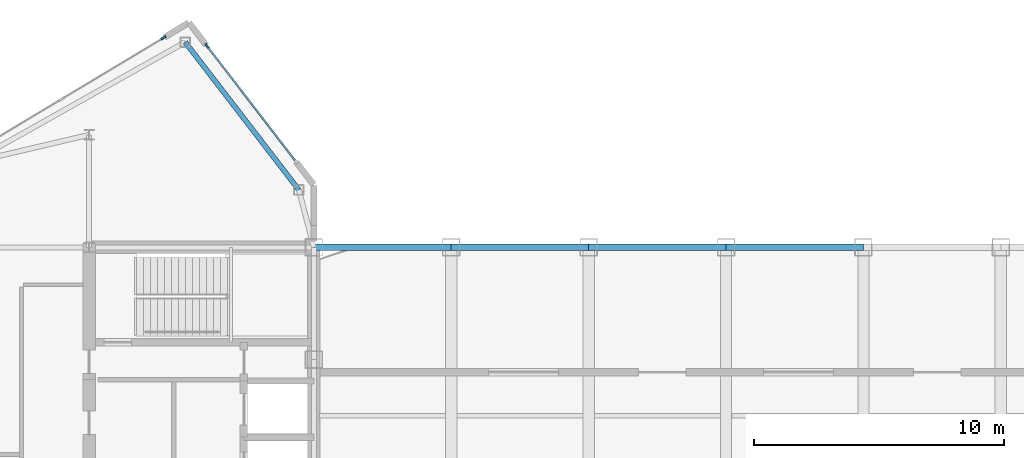
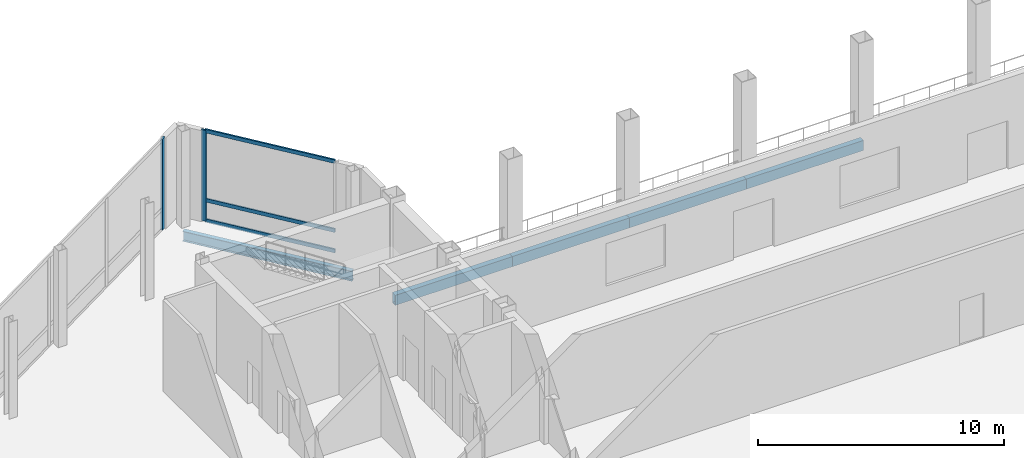
# One storey, part 12 of 28: 5 beams, 5 members, 2 elements without a shape of their own.
"""IFC4 building model written with IfcOpenShell, lengths in metres."""

from ifc_helpers import new_model, si_unit, direction, frame, origin, origin_2d, place, context, subcontext, project, spatial, rectangle, hollow_rectangle, i_section, extrude, source, transform, mapped, material, layer, layer_set, material_profile, profile_set, type_object, type_shapes, element, aggregate, save


model = new_model("IFC4")

# Units and contexts
model_context = context("Model", 3, precision=1e-05, world=origin(), true_north=direction((0.0, 1.0)))
body_context = subcontext(model_context, "Body", "Model", "MODEL_VIEW")
ifc_project = project(units=[si_unit("LENGTHUNIT", "METRE"), si_unit("AREAUNIT", "SQUARE_METRE"), si_unit("VOLUMEUNIT", "CUBIC_METRE"), si_unit("PLANEANGLEUNIT", "RADIAN"), si_unit("MASSUNIT", "GRAM", prefix="KILO")], contexts=[model_context])

# Site, building, storey
site_placement = place(None, origin())
site = spatial("IfcSite", under=ifc_project, at=site_placement, CompositionType="ELEMENT")
building_placement = place(site_placement, origin())
building = spatial("IfcBuilding", under=site, at=building_placement, Name="Seokmaru Belvedere", CompositionType="ELEMENT")
storey_placement = place(building_placement, frame((0.0, 0.0, 274.199951171875)))
storey = spatial("IfcBuildingStorey", under=building, at=storey_placement, Name="L72", CompositionType="ELEMENT", Elevation=274.199951171875)

# Beams
ifc_material_1 = material(Name="Steel SM355 (355 MPa)", Category="steel")
ifc_material_profile_1 = material_profile(ifc_material_1, i_section(OverallWidth=0.199951171875, OverallDepth=0.5, WebThickness=0.010009765625, FlangeThickness=0.01611328125, at=origin_2d()), Name="H-500x200x10x16")
ifc_profile_set_1 = profile_set([ifc_material_profile_1], Name="Steel SM355 (355 MPa)")
beam_type_1 = type_object("IfcBeamType", Name="Perimeter Spandrel Beam H-500", PredefinedType="SPANDREL", material=ifc_profile_set_1)
shared_shape_1 = source(origin(), body_context, "Body", "SweptSolid", [
    extrude(i_section(OverallWidth=0.199951171875, OverallDepth=0.5, WebThickness=0.010009765625, FlangeThickness=0.01611328125, at=origin_2d()), origin(), (0.0, 0.0, 1.0), 7.4619140625),
])
type_shapes(beam_type_1, [shared_shape_1])
beam_placement = place(storey_placement, frame((-32.649658203125, 21.71044921875, -0.510009765625), z_axis=(0.609702854945, -0.792630070507, 0.0), x_axis=(0.792630070507, 0.609702854945, 0.0)))
element("IfcBeam", 1, at=beam_placement, inside=storey, type_object=beam_type_1, Name="L72 W Shoulder Chamfer Spandrel N", PredefinedType="SPANDREL", context=body_context, shape_type="MappedRepresentation", body=[
    mapped(shared_shape_1, transform((0.0, 0.0, 0.0), scale=1.0)),
])
ifc_material_profile_2 = material_profile(ifc_material_1, hollow_rectangle(XDim=0.25, YDim=0.5, WallThickness=0.013916015625, at=origin_2d()), Name="RHS-500x250x14")
ifc_profile_set_2 = profile_set([ifc_material_profile_2], Name="Steel SM355 (355 MPa)")
beam_type_2 = type_object("IfcBeamType", Name="Bridge Edge Spandrel RHS-500", PredefinedType="SPANDREL", material=ifc_profile_set_2)
shared_shape_2 = source(origin(), body_context, "Body", "SweptSolid", [
    extrude(hollow_rectangle(XDim=0.25, YDim=0.5, WallThickness=0.013916015625, at=origin_2d()), origin(), (0.0, 0.0, 1.0), 5.5),
])
type_shapes(beam_type_2, [shared_shape_2])
for number, where, z_axis, x_axis, name in (
    (2, (-27.5, 13.5, -0.510009765625), (1.0, 0.0, 0.0), (0.0, 1.0, 0.0), "L72 Sky-Gate Bridge Edge Girder N-01"),
    (3, (-22.0, 13.5, -0.510009765625), (1.0, 0.0, 0.0), (0.0, 1.0, 0.0), "L72 Sky-Gate Bridge Edge Girder N-02"),
    (4, (-16.5, 13.5, -0.510009765625), (1.0, 0.0, 0.0), (0.0, 1.0, 0.0), "L72 Sky-Gate Bridge Edge Girder N-03"),
    (5, (-11.0, 13.5, -0.510009765625), (1.0, 0.0, 0.0), (0.0, 1.0, 0.0), "L72 Sky-Gate Bridge Edge Girder N-04"),
):
    element("IfcBeam", number, at=place(storey_placement, frame(where, z_axis=z_axis, x_axis=x_axis)), inside=storey, type_object=beam_type_2, Name=name, PredefinedType="SPANDREL", context=body_context, shape_type="MappedRepresentation", body=[
        mapped(shared_shape_2, transform((0.0, 0.0, 0.0), scale=1.0)),
    ])

# Curtain wall, members
ifc_material_2 = material(Name="Bronze Triple Insulating Glass", Category="glass")
ifc_layer = layer(ifc_material_2, 0.219970703125)
ifc_layer_set = layer_set([ifc_layer], Name="Bronze Triple Insulating Glass")
curtain_wall_type = type_object("IfcCurtainWallType", Name="Sky-Gate Bridge Panorama Curtain Wall System CW-6", PredefinedType="NOTDEFINED", material=ifc_layer_set)
curtain_wall_1_placement = place(storey_placement, origin())
curtain_wall_1 = element("IfcCurtainWall", 6, at=curtain_wall_1_placement, inside=storey, type_object=curtain_wall_type, Name="L72 Curtain Wall WF2", PredefinedType="NOTDEFINED")
ifc_material_3 = material(Name="Anodised Bronze Aluminium", Category="aluminium")
ifc_material_profile_3 = material_profile(ifc_material_3, rectangle(XDim=0.074951171875, YDim=0.179931640625, at=origin_2d()), Name="CW-T-75x180")
ifc_profile_set_3 = profile_set([ifc_material_profile_3], Name="Anodised Bronze Aluminium")
member_type_1 = type_object("IfcMemberType", Name="Bronze Unitised Transom 75x180", PredefinedType="USERDEFINED", material=ifc_profile_set_3)
shared_shape_3 = source(origin(), body_context, "Body", "SweptSolid", [
    extrude(rectangle(XDim=0.074951171875, YDim=0.179931640625, at=origin_2d()), origin(), (0.0, 0.0, 1.0), 5.74072265625),
])
type_shapes(member_type_1, [shared_shape_3])
member_1_placement = place(storey_placement, frame((-28.25, 16.974853515625, 0.03759765625), z_axis=(-0.609686097287, 0.792642960465, 0.0), x_axis=(-0.792642960465, -0.609686097287, 0.0)))
member_1 = element("IfcMember", 7, at=member_1_placement, type_object=member_type_1, Name="CW:L72:WF2 Continuous Transom 1", ObjectType="TRANSOM", PredefinedType="USERDEFINED", context=body_context, shape_type="MappedRepresentation", body=[
    mapped(shared_shape_3, transform((0.0, 0.0, 0.0), scale=1.0)),
])
member_2_placement = place(storey_placement, frame((-28.25, 16.974853515625, 4.482666015625), z_axis=(-0.609686097287, 0.792642960465, 0.0), x_axis=(-0.792642960465, -0.609686097287, 0.0)))
member_2 = element("IfcMember", 8, at=member_2_placement, type_object=member_type_1, Name="CW:L72:WF2 Continuous Transom 2", ObjectType="TRANSOM", PredefinedType="USERDEFINED", context=body_context, shape_type="MappedRepresentation", body=[
    mapped(shared_shape_3, transform((0.0, 0.0, 0.0), scale=1.0)),
])
member_3_placement = place(storey_placement, frame((-28.25, 16.974853515625, 1.050048828125), z_axis=(-0.609686097287, 0.792642960465, 0.0), x_axis=(-0.792642960465, -0.609686097287, 0.0)))
member_3 = element("IfcMember", 9, at=member_3_placement, type_object=member_type_1, Name="CW:L72:WF2 Spandrel Transom 1", ObjectType="TRANSOM", PredefinedType="USERDEFINED", context=body_context, shape_type="MappedRepresentation", body=[
    mapped(shared_shape_3, transform((0.0, 0.0, 0.0), scale=1.0)),
])
ifc_material_profile_4 = material_profile(ifc_material_3, rectangle(XDim=0.080078125, YDim=0.219970703125, at=origin_2d()), Name="CW-M-80x220")
ifc_profile_set_4 = profile_set([ifc_material_profile_4], Name="Anodised Bronze Aluminium")
member_type_2 = type_object("IfcMemberType", Name="Bronze Unitised Mullion 80x220", PredefinedType="MULLION", material=ifc_profile_set_4)
shared_shape_4 = source(origin(), body_context, "Body", "SweptSolid", [
    extrude(rectangle(XDim=0.080078125, YDim=0.219970703125, at=origin_2d()), origin(), (0.0, 0.0, 1.0), 4.52001953125),
])
type_shapes(member_type_2, [shared_shape_4])
member_4_placement = place(storey_placement, frame((-31.7744140625, 21.556884765625, 0.0), z_axis=(0.0, 0.0, 1.0), x_axis=(-0.792631353244, -0.609701187349, 0.0)))
member_4 = element("IfcMember", 10, at=member_4_placement, type_object=member_type_2, Name="CW:L72:WF2 Mullion 2", PredefinedType="MULLION", context=body_context, shape_type="MappedRepresentation", body=[
    mapped(shared_shape_4, transform((0.0, 0.0, 0.0), scale=1.0)),
])
aggregate(curtain_wall_1, [member_4, member_1, member_2, member_3])

# Curtain wall, member
curtain_wall_2_placement = place(storey_placement, origin())
curtain_wall_2 = element("IfcCurtainWall", 11, at=curtain_wall_2_placement, inside=storey, type_object=curtain_wall_type, Name="L72 Curtain Wall WF3", PredefinedType="NOTDEFINED")
member_5_placement = place(storey_placement, frame((-33.5205078125, 21.8876953125, 0.0), z_axis=(0.0, 0.0, 1.0), x_axis=(0.514494909364, -0.85749343335, 0.0)))
member_5 = element("IfcMember", 12, at=member_5_placement, type_object=member_type_2, Name="CW:L72:WF3 Mullion 1", PredefinedType="MULLION", context=body_context, shape_type="MappedRepresentation", body=[
    mapped(shared_shape_4, transform((0.0, 0.0, 0.0), scale=1.0)),
])
aggregate(curtain_wall_2, [member_5])

save(model, "model.ifc")
